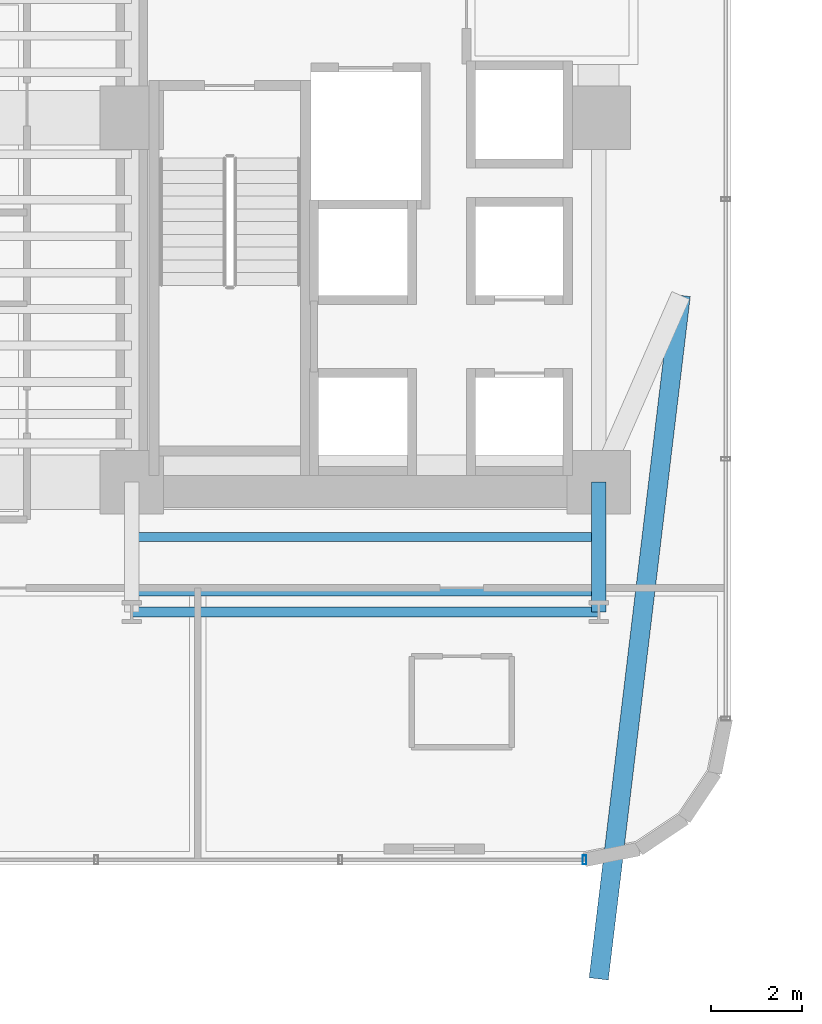
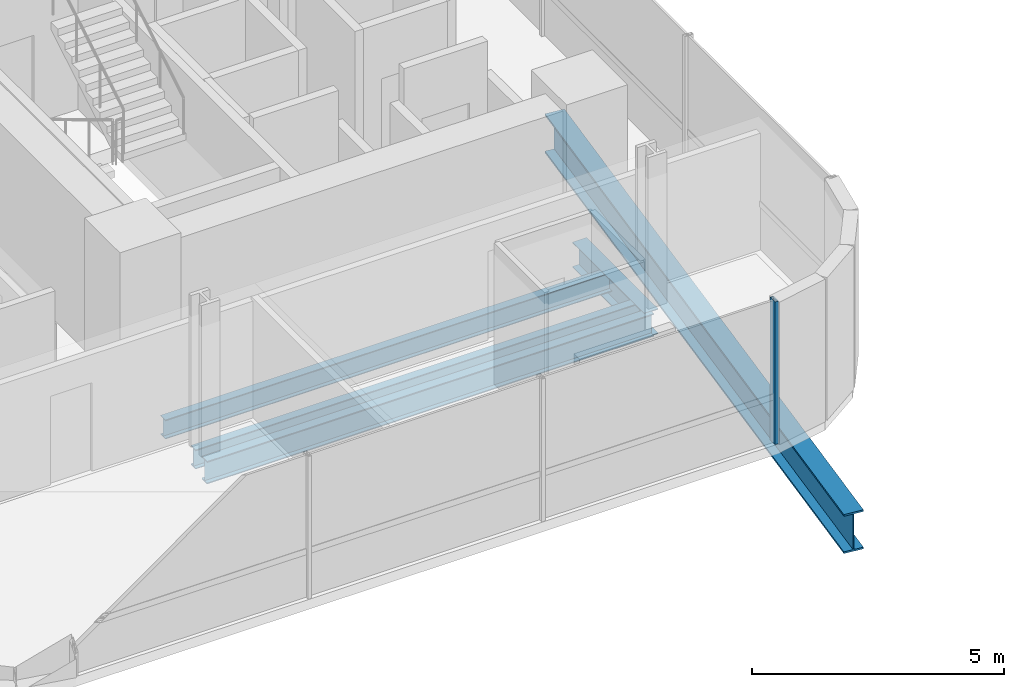
# One storey, part 6 of 50: 5 beams, 1 member, 1 element without a shape of its own.
"""IFC4 building model written with IfcOpenShell, lengths in metres."""

from ifc_helpers import new_model, si_unit, direction, frame, origin, origin_2d, place, context, subcontext, project, spatial, hollow_rectangle, i_section, extrude, source, transform, mapped, material, material_profile, profile_set, type_object, element, aggregate, save


model = new_model("IFC4")

# Units and contexts
model_context = context("Model", 3, precision=1e-05, world=origin(), true_north=direction((0.0, 1.0)))
body_context = subcontext(model_context, "Body", "Model", "MODEL_VIEW")
ifc_project = project(units=[si_unit("LENGTHUNIT", "METRE"), si_unit("AREAUNIT", "SQUARE_METRE"), si_unit("VOLUMEUNIT", "CUBIC_METRE"), si_unit("PLANEANGLEUNIT", "RADIAN"), si_unit("MASSUNIT", "GRAM", prefix="KILO")], contexts=[model_context])

# Site, building, storey
site_placement = place(None, origin())
site = spatial("IfcSite", under=ifc_project, at=site_placement, CompositionType="ELEMENT")
building_placement = place(site_placement, origin())
building = spatial("IfcBuilding", under=site, at=building_placement, Name="Valdorenza Pilgrim Sanctuary Tower", CompositionType="ELEMENT")
storey_placement = place(building_placement, frame((0.0, 0.0, 26.0)))
storey = spatial("IfcBuildingStorey", under=building, at=storey_placement, Name="L05", CompositionType="ELEMENT", Elevation=26.0)

# Beams
ifc_material_1 = material(Name="Steel ASTM A992 Grade 50", Category="steel")
ifc_material_profile_1 = material_profile(ifc_material_1, i_section(OverallWidth=0.214111328125, OverallDepth=0.549072265625, WebThickness=0.0146484375, FlangeThickness=0.023681640625, at=origin_2d()), Name="W21X93")
ifc_profile_set_1 = profile_set([ifc_material_profile_1], Name="Steel ASTM A992 Grade 50")
beam_type_1 = type_object("IfcBeamType", Name="STR-BM-SPN-W21A", PredefinedType="SPANDREL", material=ifc_profile_set_1)
shared_shape_1 = source(origin(), body_context, "Body", "SweptSolid", [
    extrude(i_section(OverallWidth=0.214111328125, OverallDepth=0.549072265625, WebThickness=0.0146484375, FlangeThickness=0.023681640625, at=origin_2d()), origin(), (0.0, 0.0, 1.0), 10.25),
])
beam_1_placement = place(storey_placement, frame((-22.64990234375, -13.449951171875, -0.514404296875), z_axis=(1.0, 0.0, 0.0), x_axis=(0.0, 1.0, 0.0)))
element("IfcBeam", 1, at=beam_1_placement, inside=storey, type_object=beam_type_1, Name="L05 South Spandrel WA-S-TIE", PredefinedType="SPANDREL", context=body_context, shape_type="MappedRepresentation", body=[
    mapped(shared_shape_1, transform((0.0, 0.0, 0.0), x_axis=(1.0, 0.0, 0.0), y_axis=(0.0, 1.0, 0.0), z_axis=(0.0, 0.0, 1.0), scale=1.0)),
])
ifc_material_profile_2 = material_profile(ifc_material_1, i_section(OverallWidth=0.323974609375, OverallDepth=0.611083984375, WebThickness=0.0126953125, FlangeThickness=0.01904296875, at=origin_2d()), Name="W24X104")
ifc_profile_set_2 = profile_set([ifc_material_profile_2], Name="Steel ASTM A992 Grade 50")
beam_type_2 = type_object("IfcBeamType", Name="STR-BM-GRD-W24B", PredefinedType="BEAM", material=ifc_profile_set_2)
shared_shape_2 = source(origin(), body_context, "Body", "SweptSolid", [
    extrude(i_section(OverallWidth=0.323974609375, OverallDepth=0.611083984375, WebThickness=0.0126953125, FlangeThickness=0.01904296875, at=origin_2d()), origin(), (0.0, 0.0, 1.0), 2.849853515625),
])
beam_2_placement = place(storey_placement, frame((-12.39990234375, -13.449951171875, -0.54541015625), z_axis=(0.0, 1.0, 0.0), x_axis=(-1.0, 0.0, 0.0)))
element("IfcBeam", 2, at=beam_2_placement, inside=storey, type_object=beam_type_2, Name="L05 Floor Girder WA-S-LE", PredefinedType="BEAM", context=body_context, shape_type="MappedRepresentation", body=[
    mapped(shared_shape_2, transform((0.0, 0.0, 0.0), x_axis=(1.0, 0.0, 0.0), y_axis=(0.0, 1.0, 0.0), z_axis=(0.0, 0.0, 1.0), scale=1.0)),
])
ifc_material_profile_3 = material_profile(ifc_material_1, i_section(OverallWidth=0.193115234375, OverallDepth=0.466064453125, WebThickness=0.011474609375, FlangeThickness=0.01904296875, at=origin_2d()), Name="W18X65")
ifc_profile_set_3 = profile_set([ifc_material_profile_3], Name="Steel ASTM A992 Grade 50")
beam_type_3 = type_object("IfcBeamType", Name="STR-BM-JST-W18A", PredefinedType="JOIST", material=ifc_profile_set_3)
shared_shape_3 = source(origin(), body_context, "Body", "SweptSolid", [
    extrude(i_section(OverallWidth=0.193115234375, OverallDepth=0.466064453125, WebThickness=0.011474609375, FlangeThickness=0.01904296875, at=origin_2d()), origin(), (0.0, 0.0, 1.0), 10.25),
])
for number, where, z_axis, x_axis, name in (
    (3, (-22.64990234375, -13.0, -0.472900390625), (1.0, 0.0, 0.0), (0.0, 1.0, 0.0), "L05 Composite Floor Joist JST-WAS-1"),
    (4, (-22.64990234375, -11.800048828125, -0.472900390625), (1.0, 0.0, 0.0), (0.0, 1.0, 0.0), "L05 Composite Floor Joist JST-WAS-2"),
):
    element("IfcBeam", number, at=place(storey_placement, frame(where, z_axis=z_axis, x_axis=x_axis)), inside=storey, type_object=beam_type_3, Name=name, PredefinedType="JOIST", context=body_context, shape_type="MappedRepresentation", body=[
        mapped(shared_shape_3, transform((0.0, 0.0, 0.0), x_axis=(1.0, 0.0, 0.0), y_axis=(0.0, 1.0, 0.0), z_axis=(0.0, 0.0, 1.0), scale=1.0)),
    ])
ifc_material_profile_4 = material_profile(ifc_material_1, i_section(OverallWidth=0.423095703125, OverallDepth=0.947998046875, WebThickness=0.02392578125, FlangeThickness=0.042724609375, at=origin_2d()), Name="W36X302")
ifc_profile_set_4 = profile_set([ifc_material_profile_4], Name="Steel ASTM A992 Grade 50")
beam_type_4 = type_object("IfcBeamType", Name="STR-BM-GRD-W36A", PredefinedType="BEAM", material=ifc_profile_set_4)
shared_shape_4 = source(origin(), body_context, "Body", "SweptSolid", [
    extrude(i_section(OverallWidth=0.423095703125, OverallDepth=0.947998046875, WebThickness=0.02392578125, FlangeThickness=0.042724609375, at=origin_2d()), origin(), (0.0, 0.0, 1.0), 15.107666015625),
])
beam_3_placement = place(storey_placement, frame((-12.39990234375, -21.5, -0.714111328125), z_axis=(0.119132476027, 0.992878367755, 0.0), x_axis=(-0.992878367755, 0.119132476027, 0.0)))
element("IfcBeam", 5, at=beam_3_placement, inside=storey, type_object=beam_type_4, Name="L05 Floor Girder POD-ARCH-W", PredefinedType="BEAM", context=body_context, shape_type="MappedRepresentation", body=[
    mapped(shared_shape_4, transform((0.0, 0.0, 0.0), x_axis=(1.0, 0.0, 0.0), y_axis=(0.0, 1.0, 0.0), z_axis=(0.0, 0.0, 1.0), scale=1.0)),
])

# Curtain wall, member
ifc_material_2 = material(Name="Curtain-wall IGU glazing", Category="glass")
curtain_wall_type = type_object("IfcCurtainWallType", Name="CW-SYS-02", PredefinedType="NOTDEFINED", material=ifc_material_2)
curtain_wall_placement = place(storey_placement, origin())
curtain_wall = element("IfcCurtainWall", 6, at=curtain_wall_placement, inside=storey, type_object=curtain_wall_type, Name="L05 Curtain Wall CW-L05-1-46", PredefinedType="NOTDEFINED")
ifc_material_3 = material(Name="Anodised aluminium AW-6060", Category="aluminium")
ifc_material_profile_5 = material_profile(ifc_material_3, hollow_rectangle(XDim=0.0849609375, YDim=0.199951171875, WallThickness=0.0048828125, at=origin_2d()), Name="ALU-M 200x85x5")
ifc_profile_set_5 = profile_set([ifc_material_profile_5], Name="Anodised aluminium AW-6060")
member_type = type_object("IfcMemberType", Name="CW-MUL-02", PredefinedType="MULLION", material=ifc_profile_set_5)
shared_shape_5 = source(origin(), body_context, "Body", "SweptSolid", [
    extrude(hollow_rectangle(XDim=0.0849609375, YDim=0.199951171875, WallThickness=0.0048828125, at=origin_2d()), origin(), (0.0, 0.0, 1.0), 3.4599609375),
])
member_placement = place(storey_placement, frame((-12.710693359375, -18.889892578125, 0.0), z_axis=(0.0, 0.0, 1.0), x_axis=(-1.0, 0.0, 0.0)))
member = element("IfcMember", 7, at=member_placement, type_object=member_type, Name="CW-L05-1-46 Mullion 1", PredefinedType="MULLION", context=body_context, shape_type="MappedRepresentation", body=[
    mapped(shared_shape_5, transform((0.0, 0.0, 0.0), x_axis=(1.0, 0.0, 0.0), y_axis=(0.0, 1.0, 0.0), z_axis=(0.0, 0.0, 1.0), scale=1.0)),
])
aggregate(curtain_wall, [member])

save(model, "model.ifc")
